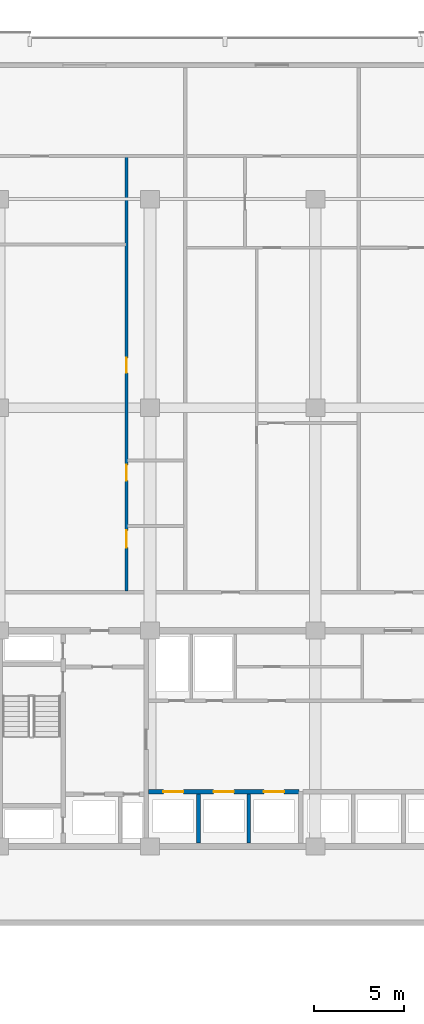
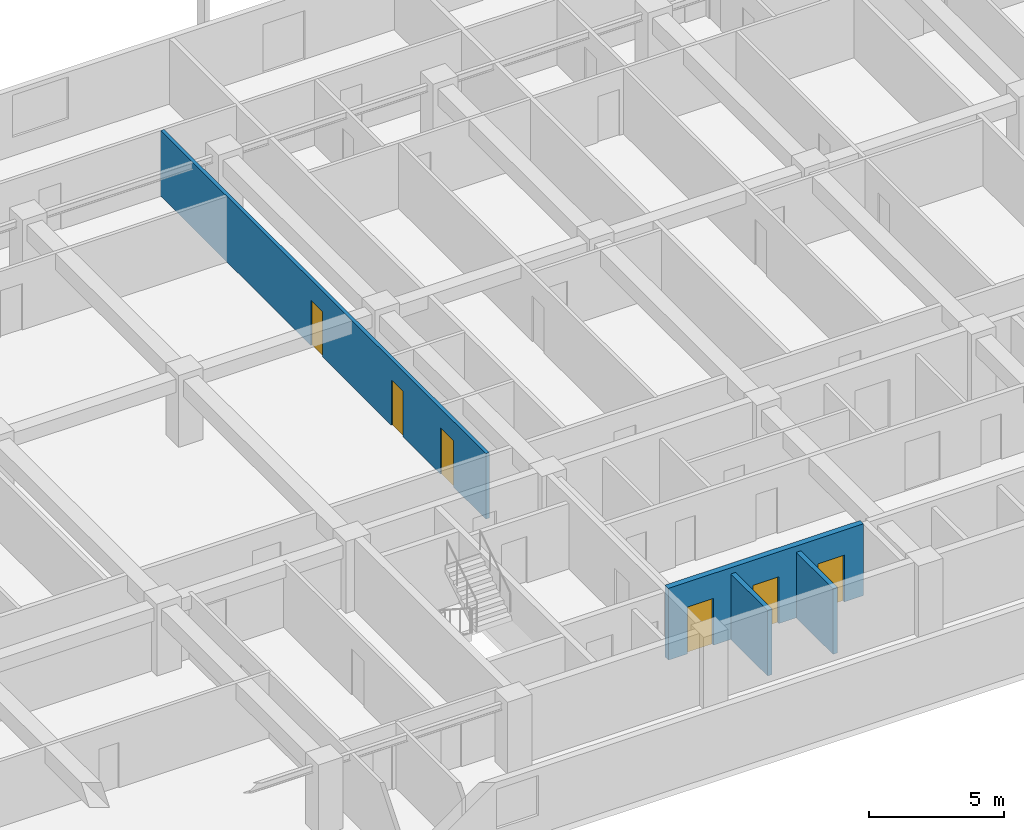
# One storey, part 11 of 24: 6 doors, 4 walls, 6 openings.
"""IFC4 building model written with IfcOpenShell, lengths in metres."""

from ifc_helpers import new_model, si_unit, direction, frame, frame_2d, origin, place, context, subcontext, project, spatial, rectangle, extrude, material, layer, layer_set, type_object, element, fill, save


model = new_model("IFC4")

# Units and contexts
model_context = context("Model", 3, precision=1e-05, world=origin(), true_north=direction((0.0, 1.0)))
body_context = subcontext(model_context, "Body", "Model", "MODEL_VIEW")
ifc_project = project(units=[si_unit("LENGTHUNIT", "METRE"), si_unit("AREAUNIT", "SQUARE_METRE"), si_unit("VOLUMEUNIT", "CUBIC_METRE"), si_unit("PLANEANGLEUNIT", "RADIAN"), si_unit("MASSUNIT", "GRAM", prefix="KILO")], contexts=[model_context])

# Site, building, storey
site_placement = place(None, origin())
site = spatial("IfcSite", under=ifc_project, at=site_placement, CompositionType="ELEMENT")
building_placement = place(site_placement, origin())
building = spatial("IfcBuilding", under=site, at=building_placement, Name="Korimba Cascade Residences", CompositionType="ELEMENT")
storey_placement = place(building_placement, frame((0.0, 0.0, 63.0)))
storey = spatial("IfcBuildingStorey", under=building, at=storey_placement, Name="L17", CompositionType="ELEMENT", Elevation=63.0)

# Wall, openings, doors
ifc_material_1 = material(Name="Insulated Acoustic Stud Partition", Category="gypsum")
ifc_layer_1 = layer(ifc_material_1, 0.14990234375)
ifc_layer_set_1 = layer_set([ifc_layer_1], Name="Insulated Acoustic Stud Partition")
wall_type_1 = type_object("IfcWallType", Name="WAL-PART-150", PredefinedType="PARTITIONING", material=ifc_layer_set_1)
wall_1_placement = place(storey_placement, frame((83.19482421875, 69.409912109375, 0.0), z_axis=(0.0, 0.0, 1.0), x_axis=(0.0, 1.0, 0.0)))
wall_1 = element("IfcWall", 1, at=wall_1_placement, inside=storey, type_object=wall_type_1, Name="L17 Partition Wall WAL-L17-T1-U02-WCV", PredefinedType="PARTITIONING", context=body_context, shape_type="SweptSolid", body=[
    extrude(rectangle(XDim=24.130126953125, YDim=0.14990234375, at=frame_2d((12.06494140625, 0.0))), origin(), (0.0, 0.0, 1.0), 2.969970703125),
])
opening_1_placement = place(wall_1_placement, frame((2.406005859375, 0.0, 0.0)))
opening_1 = element("IfcOpeningElement", 2, at=opening_1_placement, cuts=wall_1, Name="Opening D-AC1", PredefinedType="OPENING", context=body_context, shape_type="SweptSolid", body=[
    extrude(rectangle(XDim=0.9599609375, YDim=2.10009765625, at=frame_2d((0.47998046875, 1.050048828125))), frame((0.0, 0.0849609375, 0.0), z_axis=(0.0, -1.0, 0.0), x_axis=(1.0, 0.0, 0.0)), (0.0, 0.0, 1.0), 0.169921875),
])
opening_2_placement = place(wall_1_placement, frame((6.132568359375, 0.0, 0.0)))
opening_2 = element("IfcOpeningElement", 3, at=opening_2_placement, cuts=wall_1, Name="Opening D-IN2", PredefinedType="OPENING", context=body_context, shape_type="SweptSolid", body=[
    extrude(rectangle(XDim=0.8798828125, YDim=2.06005859375, at=frame_2d((0.43994140625, 1.030029296875))), frame((0.0, 0.0849609375, 0.0), z_axis=(0.0, -1.0, 0.0), x_axis=(1.0, 0.0, 0.0)), (0.0, 0.0, 1.0), 0.169921875),
])
opening_3_placement = place(wall_1_placement, frame((12.131103515625, 0.0, 0.0)))
opening_3 = element("IfcOpeningElement", 4, at=opening_3_placement, cuts=wall_1, Name="Opening D-BT1", PredefinedType="OPENING", context=body_context, shape_type="SweptSolid", body=[
    extrude(rectangle(XDim=0.840087890625, YDim=2.0400390625, at=frame_2d((0.419921875, 1.02001953125))), frame((0.0, 0.0849609375, 0.0), z_axis=(0.0, -1.0, 0.0), x_axis=(1.0, 0.0, 0.0)), (0.0, 0.0, 1.0), 0.169921875),
])
ifc_material_2 = material(Name="Accessible Acoustic Timber WC Door", Category="wood")
door_type_1 = type_object("IfcDoorType", Name="DR-ACC-950", OperationType="NOTDEFINED", PredefinedType="DOOR", material=ifc_material_2)
door_1_placement = place(opening_1_placement, origin())
door_1 = element("IfcDoor", 5, at=door_1_placement, inside=storey, type_object=door_type_1, Name="L17-T1-U02 Accessible WC Door", OperationType="SINGLE_SWING_RIGHT", OverallHeight=2.10009765625, OverallWidth=0.9599609375, PredefinedType="DOOR", context=body_context, shape_type="SweptSolid", body=[
    extrude(rectangle(XDim=0.9599609375, YDim=2.10009765625, at=frame_2d((0.47998046875, 1.050048828125))), frame((0.0, 0.02490234375, 0.0), z_axis=(0.0, -1.0, 0.0), x_axis=(1.0, 0.0, 0.0)), (0.0, 0.0, 1.0), 0.050048828125),
])
fill(opening_1, door_1)
ifc_material_3 = material(Name="Moisture-Resistant Bathroom Timber Door", Category="wood")
door_type_2 = type_object("IfcDoorType", Name="DR-INT-850", OperationType="NOTDEFINED", PredefinedType="DOOR", material=ifc_material_3)
door_2_placement = place(opening_3_placement, origin())
door_2 = element("IfcDoor", 6, at=door_2_placement, inside=storey, type_object=door_type_2, Name="L17-T1-U02 Suite Store Door", OperationType="SINGLE_SWING_RIGHT", OverallHeight=2.0400390625, OverallWidth=0.840087890625, PredefinedType="DOOR", context=body_context, shape_type="SweptSolid", body=[
    extrude(rectangle(XDim=0.840087890625, YDim=2.0400390625, at=frame_2d((0.419921875, 1.02001953125))), frame((0.0, 0.02490234375, 0.0), z_axis=(0.0, -1.0, 0.0), x_axis=(1.0, 0.0, 0.0)), (0.0, 0.0, 1.0), 0.050048828125),
])
fill(opening_3, door_2)
ifc_material_4 = material(Name="Acoustic Timber Bedroom Door", Category="wood")
door_type_3 = type_object("IfcDoorType", Name="DR-INT-880", OperationType="NOTDEFINED", PredefinedType="DOOR", material=ifc_material_4)
door_3_placement = place(opening_2_placement, origin())
door_3 = element("IfcDoor", 7, at=door_3_placement, inside=storey, type_object=door_type_3, Name="L17-T1-U02 Restroom WC Door", OperationType="SINGLE_SWING_LEFT", OverallHeight=2.06005859375, OverallWidth=0.8798828125, PredefinedType="DOOR", context=body_context, shape_type="SweptSolid", body=[
    extrude(rectangle(XDim=0.8798828125, YDim=2.06005859375, at=frame_2d((0.43994140625, 1.030029296875))), frame((0.0, 0.02490234375, 0.0), z_axis=(0.0, -1.0, 0.0), x_axis=(1.0, 0.0, 0.0)), (0.0, 0.0, 1.0), 0.050048828125),
])
fill(opening_2, door_3)

# Walls
ifc_material_5 = material(Name="Concrete C40/50", Category="concrete")
ifc_layer_2 = layer(ifc_material_5, 0.199951171875)
ifc_layer_set_2 = layer_set([ifc_layer_2], Name="Concrete C40/50")
wall_type_2 = type_object("IfcWallType", Name="WAL-PART-200", PredefinedType="PARTITIONING", material=ifc_layer_set_2)
for number, where, z_axis, x_axis, name in (
    (8, (87.199951171875, 55.39990234375, 0.0), (0.0, 0.0, 1.0), (0.0, 1.0, 0.0), "L17 Partition Wall CW-L17-T1-B1D1"),
    (9, (90.0, 55.39990234375, 0.0), (0.0, 0.0, 1.0), (0.0, 1.0, 0.0), "L17 Partition Wall CW-L17-T1-B1D2"),
):
    element("IfcWall", number, at=place(storey_placement, frame(where, z_axis=z_axis, x_axis=x_axis)), inside=storey, type_object=wall_type_2, Name=name, PredefinedType="PARTITIONING", context=body_context, shape_type="SweptSolid", body=[
        extrude(rectangle(XDim=2.72021484375, YDim=0.199951171875, at=frame_2d((1.360107421875, 0.0))), origin(), (0.0, 0.0, 1.0), 2.969970703125),
    ])

# Wall, openings, doors
ifc_material_6 = material(Name="Concrete C50/60", Category="concrete")
ifc_layer_3 = layer(ifc_material_6, 0.25)
ifc_layer_set_3 = layer_set([ifc_layer_3], Name="Concrete C50/60")
wall_type_3 = type_object("IfcWallType", Name="WAL-SHAFT-250", PredefinedType="SHEAR", material=ifc_layer_set_3)
wall_2_placement = place(storey_placement, frame((84.419921875, 58.25, 0.0), z_axis=(0.0, 0.0, 1.0), x_axis=(1.0, 0.0, 0.0)))
wall_2 = element("IfcWall", 10, at=wall_2_placement, inside=storey, type_object=wall_type_3, Name="L17 Core Shear Wall CW-L17-T1-B1N", PredefinedType="SHEAR", context=body_context, shape_type="SweptSolid", body=[
    extrude(rectangle(XDim=8.360107421875, YDim=0.25, at=frame_2d((4.18017578125, 0.0))), origin(), (0.0, 0.0, 1.0), 3.25),
])
opening_4_placement = place(wall_2_placement, frame((0.820068359375, 0.0, 0.0)))
opening_4 = element("IfcOpeningElement", 11, at=opening_4_placement, cuts=wall_2, Name="Opening LD-01", PredefinedType="OPENING", context=body_context, shape_type="SweptSolid", body=[
    extrude(rectangle(XDim=1.1201171875, YDim=2.1201171875, at=frame_2d((0.56005859375, 1.06005859375))), frame((0.0, 0.135009765625, 0.0), z_axis=(0.0, -1.0, 0.0), x_axis=(1.0, 0.0, 0.0)), (0.0, 0.0, 1.0), 0.27001953125),
])
opening_5_placement = place(wall_2_placement, frame((3.6201171875, 0.0, 0.0)))
opening_5 = element("IfcOpeningElement", 12, at=opening_5_placement, cuts=wall_2, Name="Opening LD-01", PredefinedType="OPENING", context=body_context, shape_type="SweptSolid", body=[
    extrude(rectangle(XDim=1.1201171875, YDim=2.1201171875, at=frame_2d((0.56005859375, 1.06005859375))), frame((0.0, 0.135009765625, 0.0), z_axis=(0.0, -1.0, 0.0), x_axis=(1.0, 0.0, 0.0)), (0.0, 0.0, 1.0), 0.27001953125),
])
opening_6_placement = place(wall_2_placement, frame((6.419921875, 0.0, 0.0)))
opening_6 = element("IfcOpeningElement", 13, at=opening_6_placement, cuts=wall_2, Name="Opening LD-01", PredefinedType="OPENING", context=body_context, shape_type="SweptSolid", body=[
    extrude(rectangle(XDim=1.1201171875, YDim=2.1201171875, at=frame_2d((0.56005859375, 1.06005859375))), frame((0.0, 0.135009765625, 0.0), z_axis=(0.0, -1.0, 0.0), x_axis=(1.0, 0.0, 0.0)), (0.0, 0.0, 1.0), 0.27001953125),
])
ifc_material_7 = material(Name="Stainless Steel Lift Landing Sliding Door", Category="steel")
door_type_4 = type_object("IfcDoorType", Name="DR-LIFT-1100", OperationType="NOTDEFINED", PredefinedType="DOOR", material=ifc_material_7)
door_4_placement = place(opening_4_placement, origin())
door_4 = element("IfcDoor", 14, at=door_4_placement, inside=storey, type_object=door_type_4, Name="L17 Lift Landing Door PL-W1", OperationType="SLIDING_TO_LEFT", OverallHeight=2.1201171875, OverallWidth=1.1201171875, PredefinedType="DOOR", context=body_context, shape_type="SweptSolid", body=[
    extrude(rectangle(XDim=1.1201171875, YDim=2.1201171875, at=frame_2d((0.56005859375, 1.06005859375))), frame((0.0, 0.02490234375, 0.0), z_axis=(0.0, -1.0, 0.0), x_axis=(1.0, 0.0, 0.0)), (0.0, 0.0, 1.0), 0.050048828125),
])
fill(opening_4, door_4)
door_5_placement = place(opening_5_placement, origin())
door_5 = element("IfcDoor", 15, at=door_5_placement, inside=storey, type_object=door_type_4, Name="L17 Lift Landing Door PL-W2", OperationType="SLIDING_TO_LEFT", OverallHeight=2.1201171875, OverallWidth=1.1201171875, PredefinedType="DOOR", context=body_context, shape_type="SweptSolid", body=[
    extrude(rectangle(XDim=1.1201171875, YDim=2.1201171875, at=frame_2d((0.56005859375, 1.06005859375))), frame((0.0, 0.02490234375, 0.0), z_axis=(0.0, -1.0, 0.0), x_axis=(1.0, 0.0, 0.0)), (0.0, 0.0, 1.0), 0.050048828125),
])
fill(opening_5, door_5)
door_6_placement = place(opening_6_placement, origin())
door_6 = element("IfcDoor", 16, at=door_6_placement, inside=storey, type_object=door_type_4, Name="L17 Lift Landing Door PL-W3", OperationType="SLIDING_TO_LEFT", OverallHeight=2.1201171875, OverallWidth=1.1201171875, PredefinedType="DOOR", context=body_context, shape_type="SweptSolid", body=[
    extrude(rectangle(XDim=1.1201171875, YDim=2.1201171875, at=frame_2d((0.56005859375, 1.06005859375))), frame((0.0, 0.02490234375, 0.0), z_axis=(0.0, -1.0, 0.0), x_axis=(1.0, 0.0, 0.0)), (0.0, 0.0, 1.0), 0.050048828125),
])
fill(opening_6, door_6)

save(model, "model.ifc")
